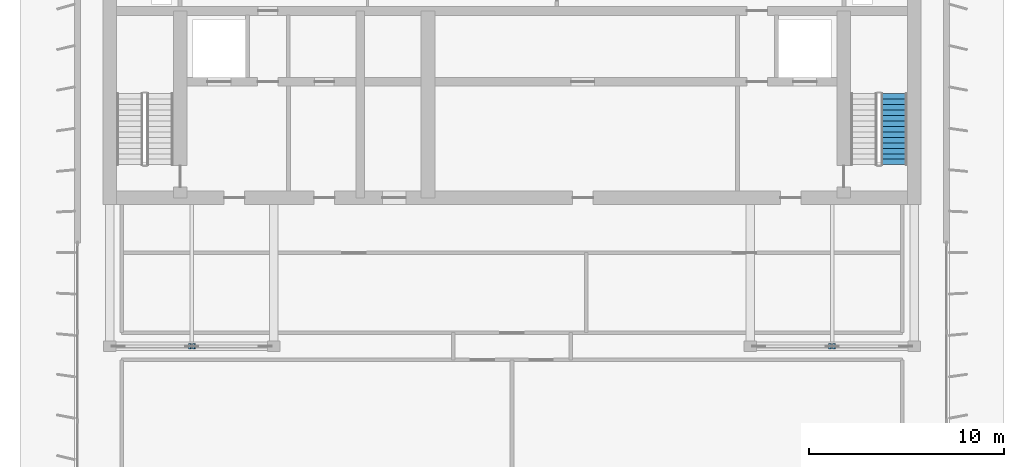
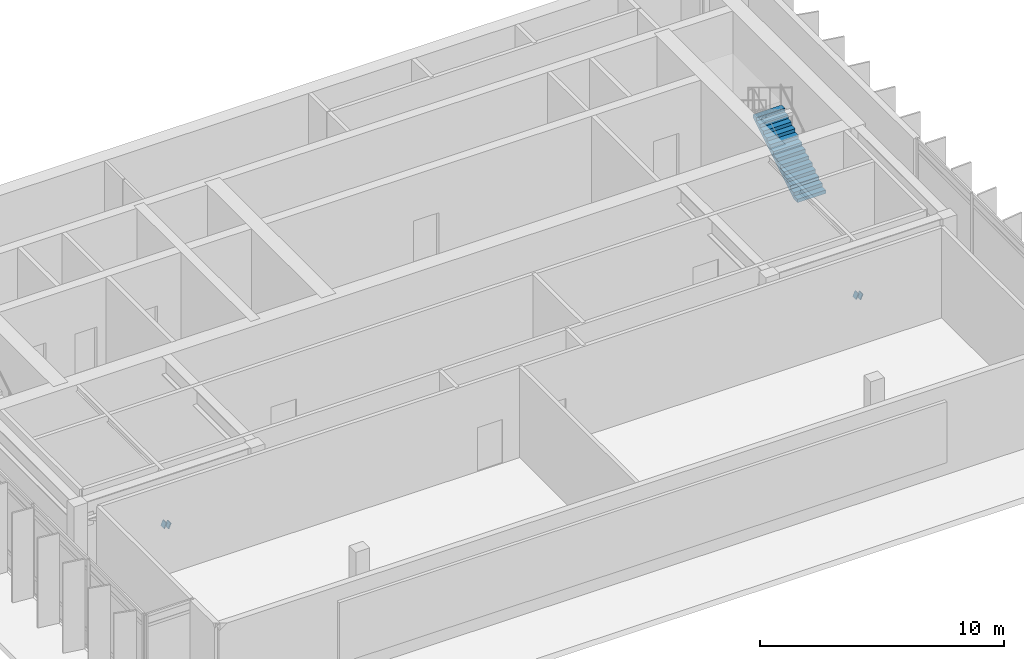
# One storey, part 7 of 10: 4 discrete accessories, 1 stair flight, 1 element without a shape of its own.
"""IFC4 building model written with IfcOpenShell, lengths in metres."""

from ifc_helpers import new_model, si_unit, direction, frame, origin, place, context, subcontext, project, spatial, polyline, outline, extrude, material, type_object, element, aggregate, save


model = new_model("IFC4")

# Units and contexts
model_context = context("Model", 3, precision=1e-05, world=origin(), true_north=direction((0.0, 1.0)))
body_context = subcontext(model_context, "Body", "Model", "MODEL_VIEW")
ifc_project = project(units=[si_unit("LENGTHUNIT", "METRE"), si_unit("AREAUNIT", "SQUARE_METRE"), si_unit("VOLUMEUNIT", "CUBIC_METRE"), si_unit("PLANEANGLEUNIT", "RADIAN"), si_unit("MASSUNIT", "GRAM", prefix="KILO")], contexts=[model_context])

# Site, building, storey
site_placement = place(None, origin())
site = spatial("IfcSite", under=ifc_project, at=site_placement, CompositionType="ELEMENT")
building_placement = place(site_placement, origin())
building = spatial("IfcBuilding", under=site, at=building_placement, Name="Caelmar Bay Residences", CompositionType="ELEMENT")
storey_placement = place(building_placement, frame((0.0, 0.0, 295.60009765625)))
storey = spatial("IfcBuildingStorey", under=building, at=storey_placement, Name="L81", CompositionType="ELEMENT", Elevation=295.60009765625)

# Stair, stair flight
ifc_material_1 = material(Name="Concrete f'c 40 MPa (6,000 psi)", Category="concrete")
stair_type = type_object("IfcStairType", Name="ST-TAL-170", PredefinedType="HALF_TURN_STAIR", material=ifc_material_1)
stair_placement = place(storey_placement, origin())
stair = element("IfcStair", 1, at=stair_placement, inside=storey, type_object=stair_type, Name="L81 East Smokeproof Exit Stair ST2", PredefinedType="HALF_TURN_STAIR")
ifc_material_2 = material(Name="Precast concrete f'c 40 MPa (6,000 psi)", Category="concrete")
stair_flight_type = type_object("IfcStairFlightType", Name="STF-1400", PredefinedType="STRAIGHT", material=ifc_material_2)
stair_flight_placement = place(storey_placement, frame((58.47509765625, 38.699951171875, 0.0), z_axis=(0.0, 0.0, 1.0), x_axis=(0.0, 1.0, 0.0)))
stair_flight = element("IfcStairFlight", 2, at=stair_flight_placement, type_object=stair_flight_type, Name="ST2 flight 1", NumberOfRisers=14, NumberOfTreads=13, PredefinedType="STRAIGHT", RiserHeight=0.171428571, TreadLength=0.28, context=body_context, shape_type="SweptSolid", body=[
    extrude(outline(polyline([(0.0, 0.0), (0.0, 0.17138671875), (0.280029296875, 0.17138671875), (0.280029296875, 0.3427734375), (0.56005859375, 0.3427734375), (0.56005859375, 0.514404296875), (0.840087890625, 0.514404296875), (0.840087890625, 0.685791015625), (1.1201171875, 0.685791015625), (1.1201171875, 0.857177734375), (1.39990234375, 0.857177734375), (1.39990234375, 1.028564453125), (1.679931640625, 1.028564453125), (1.679931640625, 1.199951171875), (1.9599609375, 1.199951171875), (1.9599609375, 1.371337890625), (2.239990234375, 1.371337890625), (2.239990234375, 1.54296875), (2.52001953125, 1.54296875), (2.52001953125, 1.71435546875), (2.800048828125, 1.71435546875), (2.800048828125, 1.8857421875), (3.080078125, 1.8857421875), (3.080078125, 2.05712890625), (3.360107421875, 2.05712890625), (3.360107421875, 2.228515625), (3.639892578125, 2.228515625), (3.639892578125, 2.39990234375), (3.639892578125, 2.052734375), (0.287109375, 0.0), (0.0, 0.0)])), frame((0.0, 0.675048828125, 0.0), z_axis=(0.0, -1.0, 0.0), x_axis=(1.0, 0.0, 0.0)), (0.0, 0.0, 1.0), 1.35009765625),
])
aggregate(stair, [stair_flight])

# Discrete accessories
ifc_material_3 = material(Name="Steel ASTM A572 Grade 50", Category="steel")
discrete_accessory_type = type_object("IfcDiscreteAccessoryType", Name="ACC-PRTCAP-45", PredefinedType="USERDEFINED", material=ifc_material_3)
discrete_accessory_1_placement = place(storey_placement, frame((22.523193359375, 29.260009765625, 1.721923828125), z_axis=(-0.915636201279, 0.0, 0.402007894085), x_axis=(0.0, 1.0, 0.0)))
element("IfcDiscreteAccessory", 3, at=discrete_accessory_1_placement, inside=storey, type_object=discrete_accessory_type, Name="L81 Hollow-Brace Sealed End-Cap Bracket PLT-CRNCAP-L81-01A", ObjectType="BRACKET", PredefinedType="USERDEFINED", context=body_context, shape_type="SweptSolid", body=[
    extrude(outline(polyline([(0.0, 0.0), (0.280029296875, 0.0), (0.280029296875, -0.2799667115518896), (0.0, -0.2799667115518896), (0.0, 0.0)])), origin(), (0.0, 0.0, -1.0), 0.044921875),
])
discrete_accessory_2_placement = place(storey_placement, frame((22.322998046875, 29.5400390625, 1.8095703125), z_axis=(-0.915315032423, 0.0, 0.402738614266), x_axis=(0.0, -1.0, 0.0)))
element("IfcDiscreteAccessory", 4, at=discrete_accessory_2_placement, inside=storey, type_object=discrete_accessory_type, Name="L81 Hollow-Brace Sealed End-Cap Bracket PLT-CRNCAP-L81-01B", ObjectType="BRACKET", PredefinedType="USERDEFINED", context=body_context, shape_type="SweptSolid", body=[
    extrude(outline(polyline([(0.0, 0.0), (0.280029296875, 0.0), (0.280029296875, 0.28006494722529385), (0.0, 0.28006494722529385), (0.0, 0.0)])), origin(), (0.0, 0.0, -1.0), 0.044921875),
])
discrete_accessory_3_placement = place(storey_placement, frame((55.322998046875, 29.260009765625, 1.721923828125), z_axis=(-0.915315032423, 0.0, 0.402738614266), x_axis=(0.0, 1.0, 0.0)))
element("IfcDiscreteAccessory", 5, at=discrete_accessory_3_placement, inside=storey, type_object=discrete_accessory_type, Name="L81 Hollow-Brace Sealed End-Cap Bracket PLT-CRNCAP-L81-02A", ObjectType="BRACKET", PredefinedType="USERDEFINED", context=body_context, shape_type="SweptSolid", body=[
    extrude(outline(polyline([(0.0, 0.0), (0.280029296875, 0.0), (0.280029296875, -0.28006494722529385), (0.0, -0.28006494722529385), (0.0, 0.0)])), origin(), (0.0, 0.0, -1.0), 0.044921875),
])
discrete_accessory_4_placement = place(storey_placement, frame((55.123046875, 29.5400390625, 1.8095703125), z_axis=(-0.915636201279, 0.0, 0.402007894085), x_axis=(0.0, -1.0, 0.0)))
element("IfcDiscreteAccessory", 6, at=discrete_accessory_4_placement, inside=storey, type_object=discrete_accessory_type, Name="L81 Hollow-Brace Sealed End-Cap Bracket PLT-CRNCAP-L81-02B", ObjectType="BRACKET", PredefinedType="USERDEFINED", context=body_context, shape_type="SweptSolid", body=[
    extrude(outline(polyline([(0.0, 0.0), (0.280029296875, 0.0), (0.280029296875, 0.2799667115518896), (0.0, 0.2799667115518896), (0.0, 0.0)])), origin(), (0.0, 0.0, -1.0), 0.044921875),
])

save(model, "model.ifc")
